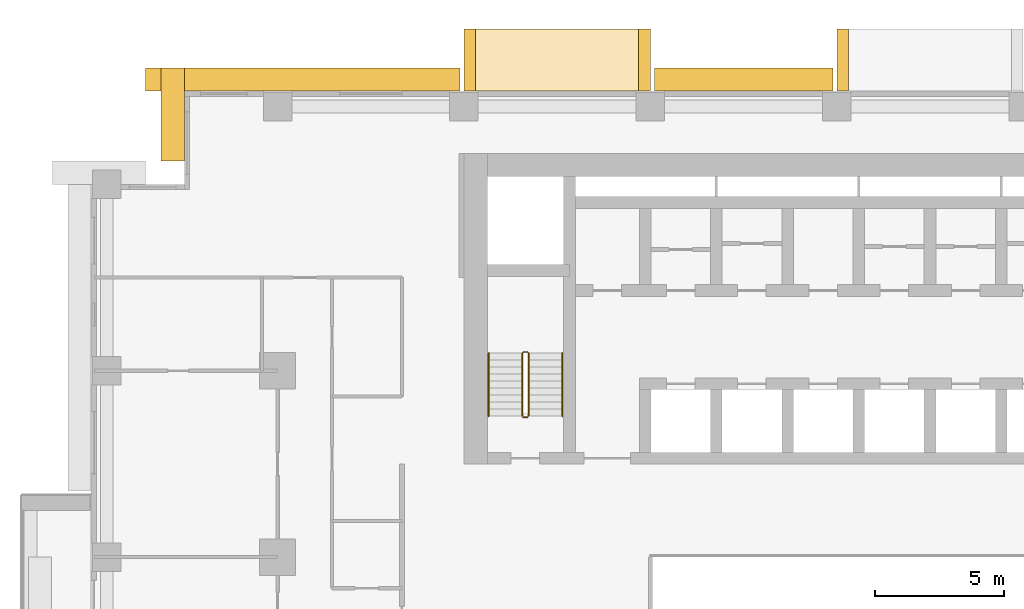
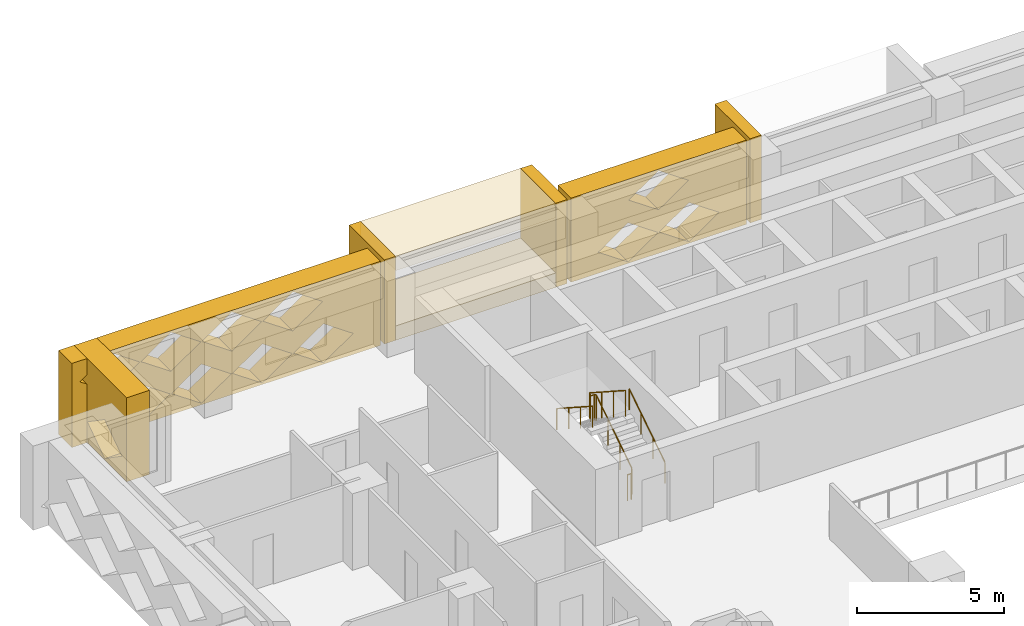
# One storey, part 14 of 16: 8 coverings, 4 railings.
"""IFC4 building model written with IfcOpenShell, lengths in metres."""

from ifc_helpers import new_model, si_unit, direction, frame, origin, origin_2d, place, context, subcontext, project, spatial, polyline, circle, outline, extrude, material, type_object, element, save


model = new_model("IFC4")

# Units and contexts
model_context = context("Model", 3, precision=1e-05, world=origin(), true_north=direction((0.0, 1.0)))
body_context = subcontext(model_context, "Body", "Model", "MODEL_VIEW")
ifc_project = project(units=[si_unit("LENGTHUNIT", "METRE"), si_unit("AREAUNIT", "SQUARE_METRE"), si_unit("VOLUMEUNIT", "CUBIC_METRE"), si_unit("PLANEANGLEUNIT", "RADIAN"), si_unit("MASSUNIT", "GRAM", prefix="KILO")], contexts=[model_context])

# Site, building, storey
site_placement = place(None, origin())
site = spatial("IfcSite", under=ifc_project, at=site_placement, CompositionType="ELEMENT")
building_placement = place(site_placement, origin())
building = spatial("IfcBuilding", under=site, at=building_placement, Name="Saffron Iwan Residences", CompositionType="ELEMENT")
storey_placement = place(building_placement, frame((0.0, 0.0, 44.5)))
storey = spatial("IfcBuildingStorey", under=building, at=storey_placement, Name="L10", CompositionType="ELEMENT", Elevation=44.5)

# Coverings
ifc_material_1 = material(Name="Precast concrete C40/50", Category="concrete")
covering_type_1 = type_object("IfcCoveringType", Name="OUTER SKIN LATTICE SCREEN", PredefinedType="CLADDING", material=ifc_material_1)
covering_1_placement = place(storey_placement, frame((43.050048828125, 80.39990234375, -0.320068359375), z_axis=(0.0, 1.0, 0.0), x_axis=(-1.0, 0.0, 0.0)))
element("IfcCovering", 1, at=covering_1_placement, inside=storey, type_object=covering_type_1, Name="OUTER SKIN lattice screen L10 F5.3", PredefinedType="CLADDING", context=body_context, shape_type="SweptSolid", body=[
    extrude(outline(polyline([(0.0, 0.0), (6.89990234375, 0.0), (6.89990234375, 3.5), (0.0, 3.5), (0.0, 0.0)]), holes=[polyline([(1.070068359375, 0.875), (2.25, 0.06005859375), (3.429931640625, 0.875), (2.25, 1.68994140625), (1.070068359375, 0.875)]), polyline([(3.469970703125, 0.875), (4.64990234375, 0.06005859375), (5.830078125, 0.875), (4.64990234375, 1.68994140625), (3.469970703125, 0.875)]), polyline([(2.27001953125, 2.625), (3.449951171875, 1.81005859375), (4.6298828125, 2.625), (3.449951171875, 3.43994140625), (2.27001953125, 2.625)])]), origin(), (0.0, 0.0, 1.0), 0.900146484375),
])
covering_2_placement = place(storey_placement, frame((28.64990234375, 80.39990234375, -0.320068359375), z_axis=(0.0, 1.0, 0.0), x_axis=(-1.0, 0.0, 0.0)))
element("IfcCovering", 2, at=covering_2_placement, inside=storey, type_object=covering_type_1, Name="OUTER SKIN lattice screen L10 F5.4", PredefinedType="CLADDING", context=body_context, shape_type="SweptSolid", body=[
    extrude(outline(polyline([(0.0, 0.0), (12.14990234375, 0.0), (12.14990234375, 3.5), (0.0, 3.5), (0.0, 0.0)]), holes=[polyline([(1.070068359375, 0.875), (2.25, 0.06005859375), (3.429931640625, 0.875), (2.25, 1.68994140625), (1.070068359375, 0.875)]), polyline([(3.469970703125, 0.875), (4.64990234375, 0.06005859375), (5.830078125, 0.875), (4.64990234375, 1.68994140625), (3.469970703125, 0.875)]), polyline([(5.8701171875, 0.875), (7.050048828125, 0.06005859375), (8.22998046875, 0.875), (7.050048828125, 1.68994140625), (5.8701171875, 0.875)]), polyline([(8.27001953125, 0.875), (9.449951171875, 0.06005859375), (10.6298828125, 0.875), (9.449951171875, 1.68994140625), (8.27001953125, 0.875)]), polyline([(2.27001953125, 2.625), (3.449951171875, 1.81005859375), (4.6298828125, 2.625), (3.449951171875, 3.43994140625), (2.27001953125, 2.625)]), polyline([(4.669921875, 2.625), (5.85009765625, 1.81005859375), (7.030029296875, 2.625), (5.85009765625, 3.43994140625), (4.669921875, 2.625)]), polyline([(7.070068359375, 2.625), (8.25, 1.81005859375), (9.429931640625, 2.625), (8.25, 3.43994140625), (7.070068359375, 2.625)]), polyline([(9.469970703125, 2.625), (10.64990234375, 1.81005859375), (11.830078125, 2.625), (10.64990234375, 3.43994140625), (9.469970703125, 2.625)])]), origin(), (0.0, 0.0, 1.0), 0.900146484375),
])
covering_3_placement = place(storey_placement, frame((18.0, 81.300048828125, -0.320068359375), z_axis=(-1.0, 0.0, 0.0), x_axis=(0.0, -1.0, 0.0)))
element("IfcCovering", 3, at=covering_3_placement, inside=storey, type_object=covering_type_1, Name="OUTER SKIN lattice screen L10 F6.0", PredefinedType="CLADDING", context=body_context, shape_type="SweptSolid", body=[
    extrude(outline(polyline([(0.0, 0.0), (3.60009765625, 0.0), (3.60009765625, 3.5), (0.0, 3.5), (0.0, 0.0)]), holes=[polyline([(0.919921875, 0.875), (2.10009765625, 0.06005859375), (3.280029296875, 0.875), (2.10009765625, 1.68994140625), (0.919921875, 0.875)])]), origin(), (0.0, 0.0, 1.0), 0.89990234375),
])

# Railings
ifc_material_2 = material(Name="Steel S355", Category="steel")
railing_type_1 = type_object("IfcRailingType", Name="Stair guard 1100", PredefinedType="GUARDRAIL", material=ifc_material_2)
railing_1_placement = place(storey_placement, frame((31.300048828125, 67.85009765625, 0.175048828125)))
element("IfcRailing", 4, at=railing_1_placement, inside=storey, type_object=railing_type_1, Name="L10 ST-W stair guard 1", PredefinedType="GUARDRAIL", context=body_context, shape_type="SweptSolid", body=[
    extrude(circle(Radius=0.02392578125, at=origin_2d()), frame((0.0, 0.0, 1.076171875), z_axis=(0.0, 0.839153699163, 0.543894354798), x_axis=(-1.0, 0.0, 0.0)), (0.0, 0.0, 1.0), 2.895751953125),
    extrude(circle(Radius=0.02392578125, at=origin_2d()), frame((0.0, 2.429931640625, 2.65087890625), z_axis=(-0.707106781187, 0.707106781187, 0.0), x_axis=(-0.707106781187, -0.707106781187, 0.0)), (0.0, 0.0, 1.0), 0.07080078125),
    extrude(circle(Radius=0.02392578125, at=origin_2d()), frame((-0.050048828125, 2.47998046875, 2.65087890625), z_axis=(-1.0, 0.0, 0.0), x_axis=(0.0, -1.0, 0.0)), (0.0, 0.0, 1.0), 0.14990234375),
    extrude(circle(Radius=0.02392578125, at=origin_2d()), frame((-0.199951171875, 2.47998046875, 2.65087890625), z_axis=(-0.265065253269, -0.265065253269, 0.927081885822), x_axis=(0.707106781187, -0.707106781187, 0.0)), (0.0, 0.0, 1.0), 0.188720703125),
    extrude(circle(Radius=0.02392578125, at=origin_2d()), frame((-0.25, 2.429931640625, 2.826171875), z_axis=(0.0, -0.839153699163, 0.543894354798), x_axis=(1.0, 0.0, 0.0)), (0.0, 0.0, 1.0), 2.895751953125),
    extrude(circle(Radius=0.02099609375, at=origin_2d()), origin(), (0.0, 0.0, 1.0), 1.052001953125),
    extrude(circle(Radius=0.02099609375, at=origin_2d()), frame((0.0, 0.81005859375, 0.52490234375)), (0.0, 0.0, 1.0), 1.052001953125),
    extrude(circle(Radius=0.02099609375, at=origin_2d()), frame((0.0, 1.619873046875, 1.050048828125)), (0.0, 0.0, 1.0), 1.052001953125),
    extrude(circle(Radius=0.02099609375, at=origin_2d()), frame((0.0, 2.429931640625, 1.574951171875)), (0.0, 0.0, 1.0), 1.052001953125),
    extrude(circle(Radius=0.02099609375, at=origin_2d()), frame((-0.050048828125, 2.47998046875, 1.574951171875)), (0.0, 0.0, 1.0), 1.052001953125),
    extrude(circle(Radius=0.02099609375, at=origin_2d()), frame((-0.199951171875, 2.47998046875, 1.574951171875)), (0.0, 0.0, 1.0), 1.052001953125),
    extrude(circle(Radius=0.02099609375, at=origin_2d()), frame((-0.25, 2.429931640625, 1.75)), (0.0, 0.0, 1.0), 1.052001953125),
    extrude(circle(Radius=0.02099609375, at=origin_2d()), frame((-0.25, 1.619873046875, 2.27490234375)), (0.0, 0.0, 1.0), 1.052001953125),
    extrude(circle(Radius=0.02099609375, at=origin_2d()), frame((-0.25, 0.81005859375, 2.800048828125)), (0.0, 0.0, 1.0), 1.052001953125),
    extrude(circle(Radius=0.02099609375, at=origin_2d()), frame((-0.25, 0.0, 3.324951171875)), (0.0, 0.0, 1.0), 1.052001953125),
])
railing_2_placement = place(storey_placement, frame((31.25, 67.800048828125, 0.0)))
element("IfcRailing", 5, at=railing_2_placement, inside=storey, type_object=railing_type_1, Name="L10 ST-W stair guard 2", PredefinedType="GUARDRAIL", context=body_context, shape_type="SweptSolid", body=[
    extrude(circle(Radius=0.02392578125, at=origin_2d()), frame((0.0, 0.0, 1.076171875), z_axis=(-1.0, 0.0, 0.0), x_axis=(0.0, -1.0, 0.0)), (0.0, 0.0, 1.0), 0.14990234375),
    extrude(circle(Radius=0.02099609375, at=origin_2d()), origin(), (0.0, 0.0, 1.0), 1.052001953125),
    extrude(circle(Radius=0.02099609375, at=origin_2d()), frame((-0.14990234375, 0.0, 0.0)), (0.0, 0.0, 1.0), 1.052001953125),
])
ifc_material_3 = material(Name="Stainless steel 316", Category="steel")
railing_type_2 = type_object("IfcRailingType", Name="Stair handrail 900", PredefinedType="HANDRAIL", material=ifc_material_3)
railing_3_placement = place(storey_placement, frame((32.60009765625, 67.85009765625, 0.175048828125)))
element("IfcRailing", 6, at=railing_3_placement, inside=storey, type_object=railing_type_2, Name="L10 ST-W stair handrail 1", PredefinedType="HANDRAIL", context=body_context, shape_type="SweptSolid", body=[
    extrude(circle(Radius=0.02392578125, at=origin_2d()), frame((0.0, 0.0, 0.8759765625), z_axis=(0.0, 0.839153699163, 0.543894354798), x_axis=(-1.0, 0.0, 0.0)), (0.0, 0.0, 1.0), 2.895751953125),
    extrude(circle(Radius=0.02099609375, at=origin_2d()), origin(), (0.0, 0.0, 1.0), 0.851806640625),
    extrude(circle(Radius=0.02099609375, at=origin_2d()), frame((0.0, 0.81005859375, 0.52490234375)), (0.0, 0.0, 1.0), 0.851806640625),
    extrude(circle(Radius=0.02099609375, at=origin_2d()), frame((0.0, 1.619873046875, 1.050048828125)), (0.0, 0.0, 1.0), 0.851806640625),
    extrude(circle(Radius=0.02099609375, at=origin_2d()), frame((0.0, 2.429931640625, 1.574951171875)), (0.0, 0.0, 1.0), 0.851806640625),
])
railing_4_placement = place(storey_placement, frame((29.75, 70.280029296875, 1.925048828125)))
element("IfcRailing", 7, at=railing_4_placement, inside=storey, type_object=railing_type_2, Name="L10 ST-W stair handrail 2", PredefinedType="HANDRAIL", context=body_context, shape_type="SweptSolid", body=[
    extrude(circle(Radius=0.02392578125, at=origin_2d()), frame((0.0, 0.0, 0.8759765625), z_axis=(0.0, -0.839153699163, 0.543894354798), x_axis=(1.0, 0.0, 0.0)), (0.0, 0.0, 1.0), 2.895751953125),
    extrude(circle(Radius=0.02099609375, at=origin_2d()), origin(), (0.0, 0.0, 1.0), 0.851806640625),
    extrude(circle(Radius=0.02099609375, at=origin_2d()), frame((0.0, -0.81005859375, 0.52490234375)), (0.0, 0.0, 1.0), 0.851806640625),
    extrude(circle(Radius=0.02099609375, at=origin_2d()), frame((0.0, -1.619873046875, 1.050048828125)), (0.0, 0.0, 1.0), 0.851806640625),
    extrude(circle(Radius=0.02099609375, at=origin_2d()), frame((0.0, -2.429931640625, 1.574951171875)), (0.0, 0.0, 1.0), 0.851806640625),
])

# Coverings
ifc_material_4 = material(Name="Precast concrete C40/50 white painted", Category="concrete")
covering_type_2 = type_object("IfcCoveringType", Name="WHITE SUN FRAME PRECAST", PredefinedType="CLADDING", material=ifc_material_4)
for number, where, z_axis, x_axis, name in (
    (8, (43.64990234375, 80.39990234375, -0.320068359375), (0.0, 1.0, 0.0), (-1.0, 0.0, 0.0), "Sun frame L10 F5 32.4b"),
    (9, (36.0, 80.39990234375, -0.320068359375), (0.0, 1.0, 0.0), (-1.0, 0.0, 0.0), "Sun frame L10 F5 46.8a"),
    (10, (29.25, 80.39990234375, -0.320068359375), (0.0, 1.0, 0.0), (-1.0, 0.0, 0.0), "Sun frame L10 F5 46.8b"),
):
    element("IfcCovering", number, at=place(storey_placement, frame(where, z_axis=z_axis, x_axis=x_axis)), inside=storey, type_object=covering_type_2, Name=name, PredefinedType="CLADDING", context=body_context, shape_type="SweptSolid", body=[
        extrude(outline(polyline([(0.0, 0.0), (0.449951171875, 0.0), (0.449951171875, 3.5), (0.0, 3.5), (0.0, 0.0)])), origin(), (0.0, 0.0, 1.0), 2.400146484375),
    ])
for number, where, z_axis, x_axis, name in (
    (11, (35.550048828125, 80.39990234375, 2.580078125), (0.0, 1.0, 0.0), (-1.0, 0.0, 0.0), "Sun frame L10 F5 46.8h"),
    (12, (35.550048828125, 80.39990234375, -0.320068359375), (0.0, 1.0, 0.0), (-1.0, 0.0, 0.0), "Sun frame L10 F5 46.8s"),
):
    element("IfcCovering", number, at=place(storey_placement, frame(where, z_axis=z_axis, x_axis=x_axis)), inside=storey, type_object=covering_type_2, Name=name, PredefinedType="CLADDING", context=body_context, shape_type="SweptSolid", body=[
        extrude(outline(polyline([(0.0, 0.0), (6.300048828125, 0.0), (6.300048828125, 0.60009765625), (0.0, 0.60009765625), (0.0, 0.0)])), origin(), (0.0, 0.0, 1.0), 2.400146484375),
    ])

save(model, "model.ifc")
